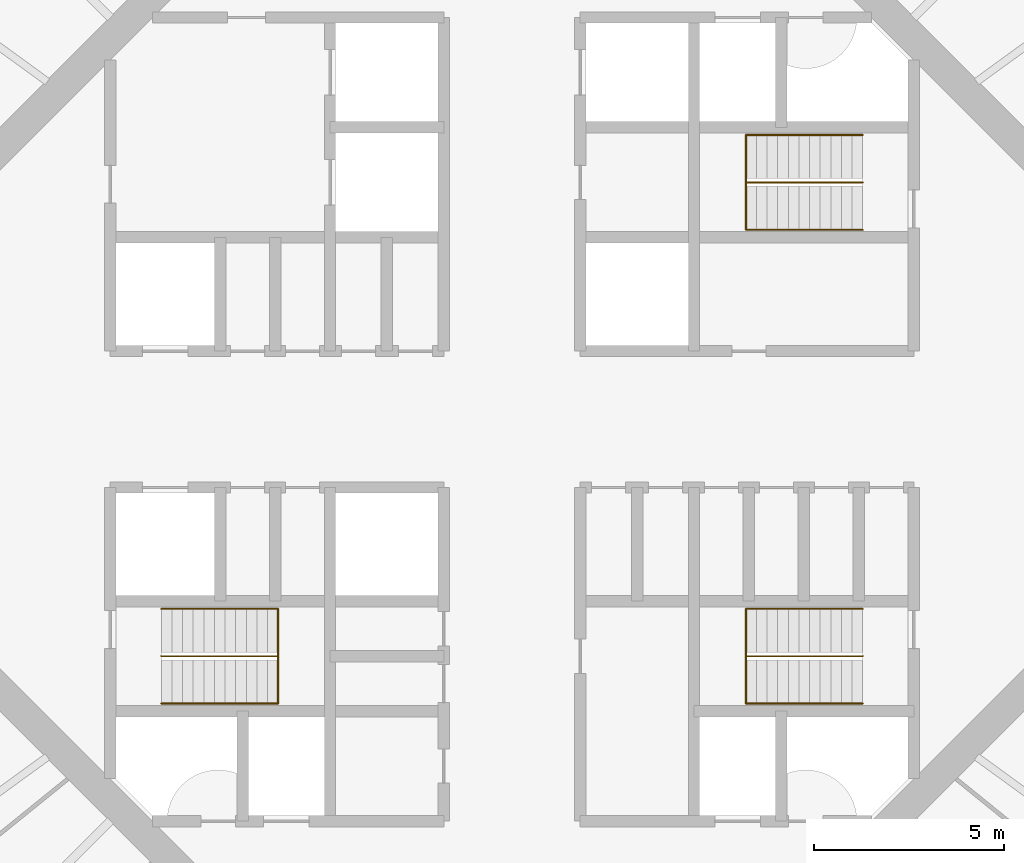
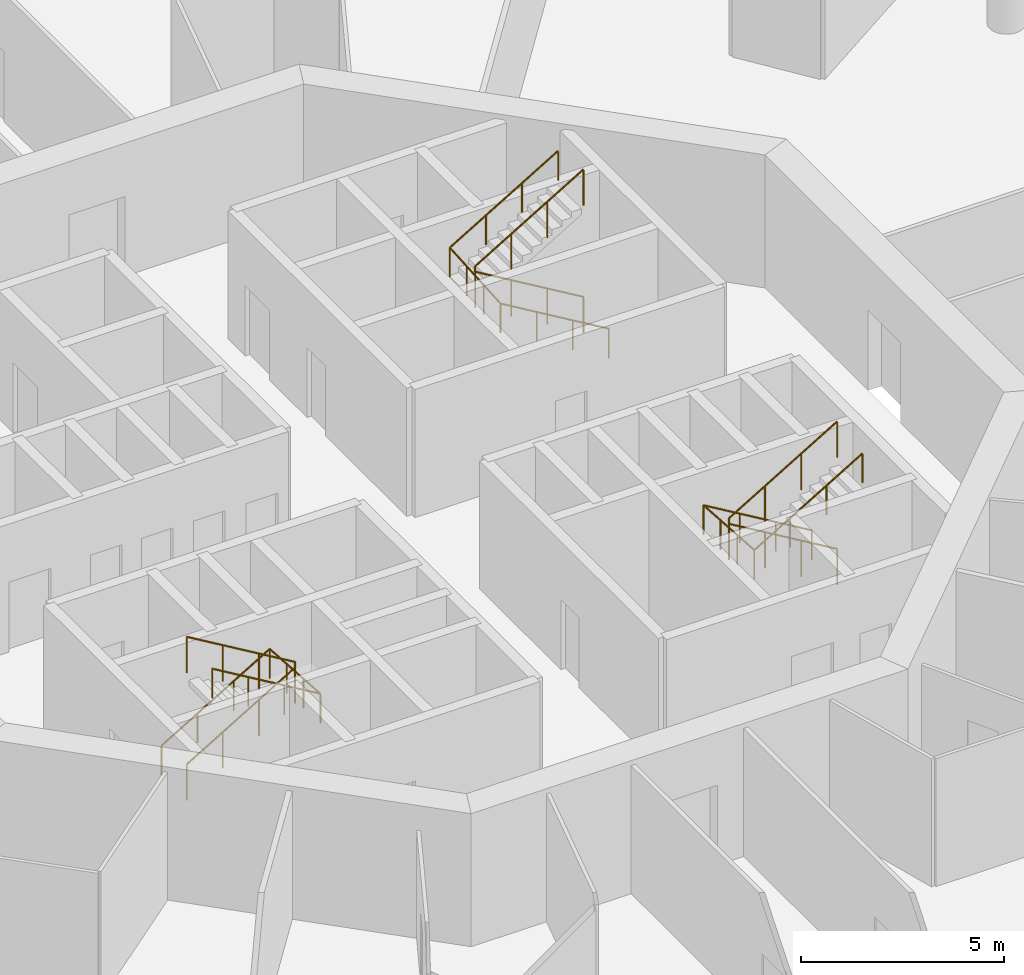
# One storey, part 13 of 13: 6 railings.
"""IFC4 building model written with IfcOpenShell, lengths in metres."""

from ifc_helpers import new_model, si_unit, direction, frame, origin, origin_2d, place, context, subcontext, project, spatial, circle, extrude, material, type_object, element, save


model = new_model("IFC4")

# Units and contexts
model_context = context("Model", 3, precision=1e-05, world=origin(), true_north=direction((0.0, 1.0)))
body_context = subcontext(model_context, "Body", "Model", "MODEL_VIEW")
ifc_project = project(units=[si_unit("LENGTHUNIT", "METRE"), si_unit("AREAUNIT", "SQUARE_METRE"), si_unit("VOLUMEUNIT", "CUBIC_METRE"), si_unit("PLANEANGLEUNIT", "RADIAN"), si_unit("MASSUNIT", "GRAM", prefix="KILO")], contexts=[model_context])

# Site, building, storey
site_placement = place(None, origin())
site = spatial("IfcSite", under=ifc_project, at=site_placement, CompositionType="ELEMENT")
building_placement = place(site_placement, origin())
building = spatial("IfcBuilding", under=site, at=building_placement, Name="Entoto Ring Tower", CompositionType="ELEMENT")
storey_placement = place(building_placement, frame((0.0, 0.0, 294.0)))
storey = spatial("IfcBuildingStorey", under=building, at=storey_placement, Name="L67", CompositionType="ELEMENT", Elevation=294.0)

# Railings
ifc_material_1 = material(Name="Steel S275", Category="steel")
railing_type_1 = type_object("IfcRailingType", Name="Stair guard 1100 mm steel", PredefinedType="GUARDRAIL", material=ifc_material_1)
railing_1_placement = place(storey_placement, frame((99.25, 86.25, 0.166748046875)))
element("IfcRailing", 1, at=railing_1_placement, inside=storey, type_object=railing_type_1, Name="Guard ST1", PredefinedType="GUARDRAIL", context=body_context, shape_type="SweptSolid", body=[
    extrude(circle(Radius=0.02392578125, at=origin_2d()), frame((0.0, 0.0, 1.076171875), z_axis=(-0.859308565015, 0.0, 0.511457515432), x_axis=(0.0, -1.0, 0.0)), (0.0, 0.0, 1.0), 3.58447265625),
    extrude(circle(Radius=0.02392578125, at=origin_2d()), frame((-3.080078125, 0.0, 2.9091796875), z_axis=(0.0, 0.0, 1.0), x_axis=(1.0, 0.0, 0.0)), (0.0, 0.0, 1.0), 0.166748046875),
    extrude(circle(Radius=0.02392578125, at=origin_2d()), frame((-3.080078125, 0.0, 3.076171875), z_axis=(0.859308565015, 0.0, 0.511457515432), x_axis=(0.0, 1.0, 0.0)), (0.0, 0.0, 1.0), 3.58447265625),
    extrude(circle(Radius=0.02099609375, at=origin_2d()), origin(), (0.0, 0.0, 1.0), 1.052001953125),
    extrude(circle(Radius=0.02099609375, at=origin_2d()), frame((-1.026611328125, 0.0, 0.611083984375)), (0.0, 0.0, 1.0), 1.052001953125),
    extrude(circle(Radius=0.02099609375, at=origin_2d()), frame((-2.053466796875, 0.0, 1.22216796875)), (0.0, 0.0, 1.0), 1.052001953125),
    extrude(circle(Radius=0.02099609375, at=origin_2d()), frame((-3.080078125, 0.0, 1.833251953125)), (0.0, 0.0, 1.0), 1.052001953125),
    extrude(circle(Radius=0.02099609375, at=origin_2d()), frame((-3.080078125, 0.0, 2.0)), (0.0, 0.0, 1.0), 1.052001953125),
    extrude(circle(Radius=0.02099609375, at=origin_2d()), frame((-2.053466796875, 0.0, 2.611083984375)), (0.0, 0.0, 1.0), 1.052001953125),
    extrude(circle(Radius=0.02099609375, at=origin_2d()), frame((-1.026611328125, 0.0, 3.22216796875)), (0.0, 0.0, 1.0), 1.052001953125),
    extrude(circle(Radius=0.02099609375, at=origin_2d()), frame((0.0, 0.0, 3.833251953125)), (0.0, 0.0, 1.0), 1.052001953125),
])
railing_2_placement = place(storey_placement, frame((80.75, 73.75, 0.166748046875)))
element("IfcRailing", 2, at=railing_2_placement, inside=storey, type_object=railing_type_1, Name="Guard ST2", PredefinedType="GUARDRAIL", context=body_context, shape_type="SweptSolid", body=[
    extrude(circle(Radius=0.02392578125, at=origin_2d()), frame((0.0, 0.0, 1.076171875), z_axis=(0.859308565015, 0.0, 0.511457515432), x_axis=(0.0, 1.0, 0.0)), (0.0, 0.0, 1.0), 3.58447265625),
    extrude(circle(Radius=0.02392578125, at=origin_2d()), frame((3.080078125, 0.0, 2.9091796875), z_axis=(0.0, 0.0, 1.0), x_axis=(1.0, 0.0, 0.0)), (0.0, 0.0, 1.0), 0.166748046875),
    extrude(circle(Radius=0.02392578125, at=origin_2d()), frame((3.080078125, 0.0, 3.076171875), z_axis=(-0.859308565015, 0.0, 0.511457515432), x_axis=(0.0, -1.0, 0.0)), (0.0, 0.0, 1.0), 3.58447265625),
    extrude(circle(Radius=0.02099609375, at=origin_2d()), origin(), (0.0, 0.0, 1.0), 1.052001953125),
    extrude(circle(Radius=0.02099609375, at=origin_2d()), frame((1.026611328125, 0.0, 0.611083984375)), (0.0, 0.0, 1.0), 1.052001953125),
    extrude(circle(Radius=0.02099609375, at=origin_2d()), frame((2.053466796875, 0.0, 1.22216796875)), (0.0, 0.0, 1.0), 1.052001953125),
    extrude(circle(Radius=0.02099609375, at=origin_2d()), frame((3.080078125, 0.0, 1.833251953125)), (0.0, 0.0, 1.0), 1.052001953125),
    extrude(circle(Radius=0.02099609375, at=origin_2d()), frame((3.080078125, 0.0, 2.0)), (0.0, 0.0, 1.0), 1.052001953125),
    extrude(circle(Radius=0.02099609375, at=origin_2d()), frame((2.053466796875, 0.0, 2.611083984375)), (0.0, 0.0, 1.0), 1.052001953125),
    extrude(circle(Radius=0.02099609375, at=origin_2d()), frame((1.026611328125, 0.0, 3.22216796875)), (0.0, 0.0, 1.0), 1.052001953125),
    extrude(circle(Radius=0.02099609375, at=origin_2d()), frame((0.0, 0.0, 3.833251953125)), (0.0, 0.0, 1.0), 1.052001953125),
])
railing_3_placement = place(storey_placement, frame((99.25, 73.75, 0.166748046875)))
element("IfcRailing", 3, at=railing_3_placement, inside=storey, type_object=railing_type_1, Name="Guard ST3", PredefinedType="GUARDRAIL", context=body_context, shape_type="SweptSolid", body=[
    extrude(circle(Radius=0.02392578125, at=origin_2d()), frame((0.0, 0.0, 1.076171875), z_axis=(-0.859308565015, 0.0, 0.511457515432), x_axis=(0.0, -1.0, 0.0)), (0.0, 0.0, 1.0), 3.58447265625),
    extrude(circle(Radius=0.02392578125, at=origin_2d()), frame((-3.080078125, 0.0, 2.9091796875), z_axis=(0.0, 0.0, 1.0), x_axis=(1.0, 0.0, 0.0)), (0.0, 0.0, 1.0), 0.166748046875),
    extrude(circle(Radius=0.02392578125, at=origin_2d()), frame((-3.080078125, 0.0, 3.076171875), z_axis=(0.859308565015, 0.0, 0.511457515432), x_axis=(0.0, 1.0, 0.0)), (0.0, 0.0, 1.0), 3.58447265625),
    extrude(circle(Radius=0.02099609375, at=origin_2d()), origin(), (0.0, 0.0, 1.0), 1.052001953125),
    extrude(circle(Radius=0.02099609375, at=origin_2d()), frame((-1.026611328125, 0.0, 0.611083984375)), (0.0, 0.0, 1.0), 1.052001953125),
    extrude(circle(Radius=0.02099609375, at=origin_2d()), frame((-2.053466796875, 0.0, 1.22216796875)), (0.0, 0.0, 1.0), 1.052001953125),
    extrude(circle(Radius=0.02099609375, at=origin_2d()), frame((-3.080078125, 0.0, 1.833251953125)), (0.0, 0.0, 1.0), 1.052001953125),
    extrude(circle(Radius=0.02099609375, at=origin_2d()), frame((-3.080078125, 0.0, 2.0)), (0.0, 0.0, 1.0), 1.052001953125),
    extrude(circle(Radius=0.02099609375, at=origin_2d()), frame((-2.053466796875, 0.0, 2.611083984375)), (0.0, 0.0, 1.0), 1.052001953125),
    extrude(circle(Radius=0.02099609375, at=origin_2d()), frame((-1.026611328125, 0.0, 3.22216796875)), (0.0, 0.0, 1.0), 1.052001953125),
    extrude(circle(Radius=0.02099609375, at=origin_2d()), frame((0.0, 0.0, 3.833251953125)), (0.0, 0.0, 1.0), 1.052001953125),
])
ifc_material_2 = material(Name="Steel S275", Category="steel")
railing_type_2 = type_object("IfcRailingType", Name="Stair handrail 900 mm steel", PredefinedType="HANDRAIL", material=ifc_material_2)
railing_4_placement = place(storey_placement, frame((99.25, 85.0, 0.166748046875)))
element("IfcRailing", 4, at=railing_4_placement, inside=storey, type_object=railing_type_2, Name="Handrail ST1", PredefinedType="HANDRAIL", context=body_context, shape_type="SweptSolid", body=[
    extrude(circle(Radius=0.02392578125, at=origin_2d()), frame((0.0, 0.0, 0.8759765625), z_axis=(-0.859308565015, 0.0, 0.511457515432), x_axis=(0.0, -1.0, 0.0)), (0.0, 0.0, 1.0), 3.58447265625),
    extrude(circle(Radius=0.02392578125, at=origin_2d()), frame((-3.080078125, 0.0, 2.708984375), z_axis=(0.0, 0.997783001586, 0.066551346688), x_axis=(-1.0, 0.0, 0.0)), (0.0, 0.0, 1.0), 2.505615234375),
    extrude(circle(Radius=0.02392578125, at=origin_2d()), frame((-3.080078125, 2.5, 2.8759765625), z_axis=(0.859308565015, 0.0, 0.511457515432), x_axis=(0.0, 1.0, 0.0)), (0.0, 0.0, 1.0), 3.58447265625),
    extrude(circle(Radius=0.02099609375, at=origin_2d()), origin(), (0.0, 0.0, 1.0), 0.851806640625),
    extrude(circle(Radius=0.02099609375, at=origin_2d()), frame((-1.026611328125, 0.0, 0.611083984375)), (0.0, 0.0, 1.0), 0.851806640625),
    extrude(circle(Radius=0.02099609375, at=origin_2d()), frame((-2.053466796875, 0.0, 1.22216796875)), (0.0, 0.0, 1.0), 0.851806640625),
    extrude(circle(Radius=0.02099609375, at=origin_2d()), frame((-3.080078125, 0.0, 1.833251953125)), (0.0, 0.0, 1.0), 0.851806640625),
    extrude(circle(Radius=0.02099609375, at=origin_2d()), frame((-3.080078125, 0.833251953125, 1.888916015625)), (0.0, 0.0, 1.0), 0.851806640625),
    extrude(circle(Radius=0.02099609375, at=origin_2d()), frame((-3.080078125, 1.666748046875, 1.9443359375)), (0.0, 0.0, 1.0), 0.851806640625),
    extrude(circle(Radius=0.02099609375, at=origin_2d()), frame((-3.080078125, 2.5, 2.0)), (0.0, 0.0, 1.0), 0.851806640625),
    extrude(circle(Radius=0.02099609375, at=origin_2d()), frame((-2.053466796875, 2.5, 2.611083984375)), (0.0, 0.0, 1.0), 0.851806640625),
    extrude(circle(Radius=0.02099609375, at=origin_2d()), frame((-1.026611328125, 2.5, 3.22216796875)), (0.0, 0.0, 1.0), 0.851806640625),
    extrude(circle(Radius=0.02099609375, at=origin_2d()), frame((0.0, 2.5, 3.833251953125)), (0.0, 0.0, 1.0), 0.851806640625),
])
railing_5_placement = place(storey_placement, frame((80.75, 75.0, 0.166748046875)))
element("IfcRailing", 5, at=railing_5_placement, inside=storey, type_object=railing_type_2, Name="Handrail ST2", PredefinedType="HANDRAIL", context=body_context, shape_type="SweptSolid", body=[
    extrude(circle(Radius=0.02392578125, at=origin_2d()), frame((0.0, 0.0, 0.8759765625), z_axis=(0.859308565015, 0.0, 0.511457515432), x_axis=(0.0, 1.0, 0.0)), (0.0, 0.0, 1.0), 3.58447265625),
    extrude(circle(Radius=0.02392578125, at=origin_2d()), frame((3.080078125, 0.0, 2.708984375), z_axis=(0.0, -0.997783001586, 0.066551346688), x_axis=(1.0, 0.0, 0.0)), (0.0, 0.0, 1.0), 2.505615234375),
    extrude(circle(Radius=0.02392578125, at=origin_2d()), frame((3.080078125, -2.5, 2.8759765625), z_axis=(-0.859308565015, 0.0, 0.511457515432), x_axis=(0.0, -1.0, 0.0)), (0.0, 0.0, 1.0), 3.58447265625),
    extrude(circle(Radius=0.02099609375, at=origin_2d()), origin(), (0.0, 0.0, 1.0), 0.851806640625),
    extrude(circle(Radius=0.02099609375, at=origin_2d()), frame((1.026611328125, 0.0, 0.611083984375)), (0.0, 0.0, 1.0), 0.851806640625),
    extrude(circle(Radius=0.02099609375, at=origin_2d()), frame((2.053466796875, 0.0, 1.22216796875)), (0.0, 0.0, 1.0), 0.851806640625),
    extrude(circle(Radius=0.02099609375, at=origin_2d()), frame((3.080078125, 0.0, 1.833251953125)), (0.0, 0.0, 1.0), 0.851806640625),
    extrude(circle(Radius=0.02099609375, at=origin_2d()), frame((3.080078125, -0.833251953125, 1.888916015625)), (0.0, 0.0, 1.0), 0.851806640625),
    extrude(circle(Radius=0.02099609375, at=origin_2d()), frame((3.080078125, -1.666748046875, 1.9443359375)), (0.0, 0.0, 1.0), 0.851806640625),
    extrude(circle(Radius=0.02099609375, at=origin_2d()), frame((3.080078125, -2.5, 2.0)), (0.0, 0.0, 1.0), 0.851806640625),
    extrude(circle(Radius=0.02099609375, at=origin_2d()), frame((2.053466796875, -2.5, 2.611083984375)), (0.0, 0.0, 1.0), 0.851806640625),
    extrude(circle(Radius=0.02099609375, at=origin_2d()), frame((1.026611328125, -2.5, 3.22216796875)), (0.0, 0.0, 1.0), 0.851806640625),
    extrude(circle(Radius=0.02099609375, at=origin_2d()), frame((0.0, -2.5, 3.833251953125)), (0.0, 0.0, 1.0), 0.851806640625),
])
railing_6_placement = place(storey_placement, frame((99.25, 75.0, 0.166748046875)))
element("IfcRailing", 6, at=railing_6_placement, inside=storey, type_object=railing_type_2, Name="Handrail ST3", PredefinedType="HANDRAIL", context=body_context, shape_type="SweptSolid", body=[
    extrude(circle(Radius=0.02392578125, at=origin_2d()), frame((0.0, 0.0, 0.8759765625), z_axis=(-0.859308565015, 0.0, 0.511457515432), x_axis=(0.0, -1.0, 0.0)), (0.0, 0.0, 1.0), 3.58447265625),
    extrude(circle(Radius=0.02392578125, at=origin_2d()), frame((-3.080078125, 0.0, 2.708984375), z_axis=(0.0, -0.997783001586, 0.066551346688), x_axis=(1.0, 0.0, 0.0)), (0.0, 0.0, 1.0), 2.505615234375),
    extrude(circle(Radius=0.02392578125, at=origin_2d()), frame((-3.080078125, -2.5, 2.8759765625), z_axis=(0.859308565015, 0.0, 0.511457515432), x_axis=(0.0, 1.0, 0.0)), (0.0, 0.0, 1.0), 3.58447265625),
    extrude(circle(Radius=0.02099609375, at=origin_2d()), origin(), (0.0, 0.0, 1.0), 0.851806640625),
    extrude(circle(Radius=0.02099609375, at=origin_2d()), frame((-1.026611328125, 0.0, 0.611083984375)), (0.0, 0.0, 1.0), 0.851806640625),
    extrude(circle(Radius=0.02099609375, at=origin_2d()), frame((-2.053466796875, 0.0, 1.22216796875)), (0.0, 0.0, 1.0), 0.851806640625),
    extrude(circle(Radius=0.02099609375, at=origin_2d()), frame((-3.080078125, 0.0, 1.833251953125)), (0.0, 0.0, 1.0), 0.851806640625),
    extrude(circle(Radius=0.02099609375, at=origin_2d()), frame((-3.080078125, -0.833251953125, 1.888916015625)), (0.0, 0.0, 1.0), 0.851806640625),
    extrude(circle(Radius=0.02099609375, at=origin_2d()), frame((-3.080078125, -1.666748046875, 1.9443359375)), (0.0, 0.0, 1.0), 0.851806640625),
    extrude(circle(Radius=0.02099609375, at=origin_2d()), frame((-3.080078125, -2.5, 2.0)), (0.0, 0.0, 1.0), 0.851806640625),
    extrude(circle(Radius=0.02099609375, at=origin_2d()), frame((-2.053466796875, -2.5, 2.611083984375)), (0.0, 0.0, 1.0), 0.851806640625),
    extrude(circle(Radius=0.02099609375, at=origin_2d()), frame((-1.026611328125, -2.5, 3.22216796875)), (0.0, 0.0, 1.0), 0.851806640625),
    extrude(circle(Radius=0.02099609375, at=origin_2d()), frame((0.0, -2.5, 3.833251953125)), (0.0, 0.0, 1.0), 0.851806640625),
])

save(model, "model.ifc")
